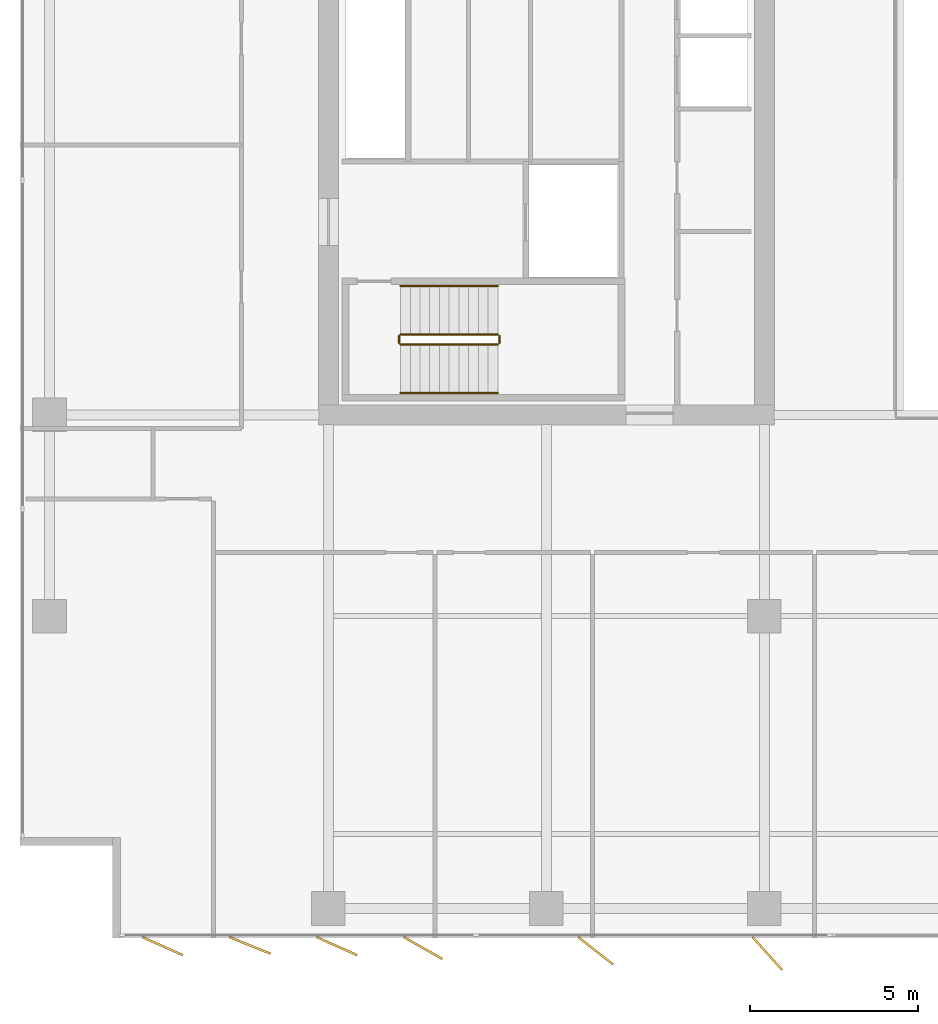
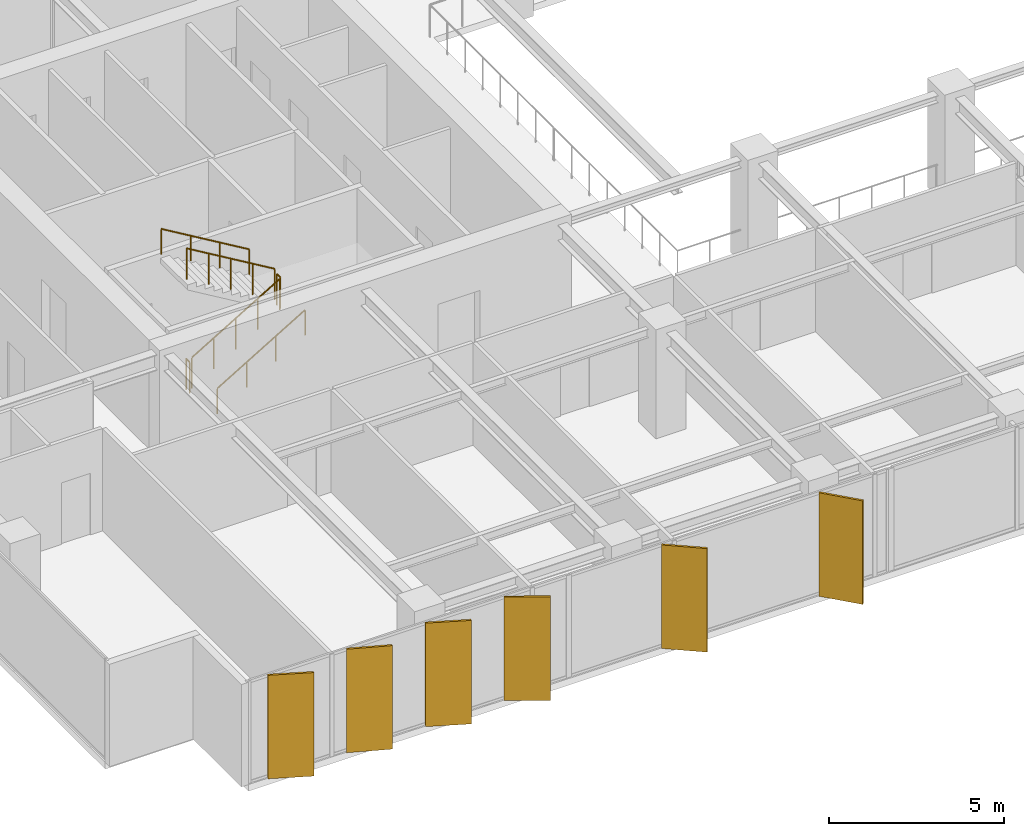
# One storey, part 19 of 22: 6 railings, 6 shading devices.
"""IFC4 building model written with IfcOpenShell, lengths in metres."""

from ifc_helpers import new_model, si_unit, direction, frame, origin, origin_2d, place, context, subcontext, project, spatial, rectangle, circle, extrude, material, layer, layer_set, type_object, element, save


model = new_model("IFC4")

# Units and contexts
model_context = context("Model", 3, precision=1e-05, world=origin(), true_north=direction((0.0, 1.0)))
body_context = subcontext(model_context, "Body", "Model", "MODEL_VIEW")
ifc_project = project(units=[si_unit("LENGTHUNIT", "METRE"), si_unit("AREAUNIT", "SQUARE_METRE"), si_unit("VOLUMEUNIT", "CUBIC_METRE"), si_unit("PLANEANGLEUNIT", "RADIAN"), si_unit("MASSUNIT", "GRAM", prefix="KILO")], contexts=[model_context])

# Site, building, storey
site_placement = place(None, origin())
site = spatial("IfcSite", under=ifc_project, at=site_placement, CompositionType="ELEMENT")
building_placement = place(site_placement, origin())
building = spatial("IfcBuilding", under=site, at=building_placement, Name="Putna Gate Headquarters", CompositionType="ELEMENT")
storey_placement = place(building_placement, frame((0.0, 0.0, 182.199951171875)))
storey = spatial("IfcBuildingStorey", under=building, at=storey_placement, Name="L45", CompositionType="ELEMENT", Elevation=182.199951171875)

# Railings
ifc_material_1 = material(Name="Powder-coated steel stair guardrail", Category="steel")
railing_type_1 = type_object("IfcRailingType", Name="RAIL-STAIR-GUARD-1100", PredefinedType="GUARDRAIL", material=ifc_material_1)
railing_1_placement = place(storey_placement, frame((15.14990234375, 21.10009765625, 0.1728515625)))
element("IfcRailing", 1, at=railing_1_placement, inside=storey, type_object=railing_type_1, Name="L45 ST1 stair guard 1", PredefinedType="GUARDRAIL", context=body_context, shape_type="SweptSolid", body=[
    extrude(circle(Radius=0.02392578125, at=origin_2d()), frame((0.0, 0.0, 1.076171875), z_axis=(0.859160404282, 0.0, 0.51170636083), x_axis=(0.0, 1.0, 0.0)), (0.0, 0.0, 1.0), 3.37548828125),
    extrude(circle(Radius=0.02099609375, at=origin_2d()), origin(), (0.0, 0.0, 1.0), 1.052001953125),
    extrude(circle(Radius=0.02099609375, at=origin_2d()), frame((0.72509765625, 0.0, 0.431884765625)), (0.0, 0.0, 1.0), 1.052001953125),
    extrude(circle(Radius=0.02099609375, at=origin_2d()), frame((1.4501953125, 0.0, 0.86376953125)), (0.0, 0.0, 1.0), 1.052001953125),
    extrude(circle(Radius=0.02099609375, at=origin_2d()), frame((2.175048828125, 0.0, 1.29541015625)), (0.0, 0.0, 1.0), 1.052001953125),
    extrude(circle(Radius=0.02099609375, at=origin_2d()), frame((2.900146484375, 0.0, 1.727294921875)), (0.0, 0.0, 1.0), 1.052001953125),
])
railing_2_placement = place(storey_placement, frame((18.10009765625, 21.14990234375, 1.900146484375)))
element("IfcRailing", 2, at=railing_2_placement, inside=storey, type_object=railing_type_1, Name="L45 ST1 stair guard 2", PredefinedType="GUARDRAIL", context=body_context, shape_type="SweptSolid", body=[
    extrude(circle(Radius=0.02392578125, at=origin_2d()), frame((0.0, 0.0, 1.076171875), z_axis=(0.0, 1.0, 0.0), x_axis=(-1.0, 0.0, 0.0)), (0.0, 0.0, 1.0), 0.2001953125),
    extrude(circle(Radius=0.02099609375, at=origin_2d()), origin(), (0.0, 0.0, 1.0), 1.052001953125),
    extrude(circle(Radius=0.02099609375, at=origin_2d()), frame((0.0, 0.2001953125, 0.0)), (0.0, 0.0, 1.0), 1.052001953125),
])
railing_3_placement = place(storey_placement, frame((18.050048828125, 21.39990234375, 2.07275390625)))
element("IfcRailing", 3, at=railing_3_placement, inside=storey, type_object=railing_type_1, Name="L45 ST1 stair guard 3", PredefinedType="GUARDRAIL", context=body_context, shape_type="SweptSolid", body=[
    extrude(circle(Radius=0.02392578125, at=origin_2d()), frame((0.0, 0.0, 1.076171875), z_axis=(-0.859160404282, 0.0, 0.51170636083), x_axis=(0.0, -1.0, 0.0)), (0.0, 0.0, 1.0), 3.37548828125),
    extrude(circle(Radius=0.02099609375, at=origin_2d()), origin(), (0.0, 0.0, 1.0), 1.052001953125),
    extrude(circle(Radius=0.02099609375, at=origin_2d()), frame((-0.72509765625, 0.0, 0.431884765625)), (0.0, 0.0, 1.0), 1.052001953125),
    extrude(circle(Radius=0.02099609375, at=origin_2d()), frame((-1.4501953125, 0.0, 0.86376953125)), (0.0, 0.0, 1.0), 1.052001953125),
    extrude(circle(Radius=0.02099609375, at=origin_2d()), frame((-2.175048828125, 0.0, 1.29541015625)), (0.0, 0.0, 1.0), 1.052001953125),
    extrude(circle(Radius=0.02099609375, at=origin_2d()), frame((-2.900146484375, 0.0, 1.727294921875)), (0.0, 0.0, 1.0), 1.052001953125),
])
railing_4_placement = place(storey_placement, frame((15.10009765625, 21.14990234375, 0.0)))
element("IfcRailing", 4, at=railing_4_placement, inside=storey, type_object=railing_type_1, Name="L45 ST1 stair guard 4", PredefinedType="GUARDRAIL", context=body_context, shape_type="SweptSolid", body=[
    extrude(circle(Radius=0.02392578125, at=origin_2d()), frame((0.0, 0.0, 1.076171875), z_axis=(0.0, 1.0, 0.0), x_axis=(-1.0, 0.0, 0.0)), (0.0, 0.0, 1.0), 0.2001953125),
    extrude(circle(Radius=0.02099609375, at=origin_2d()), origin(), (0.0, 0.0, 1.0), 1.052001953125),
    extrude(circle(Radius=0.02099609375, at=origin_2d()), frame((0.0, 0.2001953125, 0.0)), (0.0, 0.0, 1.0), 1.052001953125),
])
ifc_material_2 = material(Name="Brushed stainless steel handrail", Category="steel")
railing_type_2 = type_object("IfcRailingType", Name="RAIL-STAIR-HAND-900", PredefinedType="HANDRAIL", material=ifc_material_2)
railing_5_placement = place(storey_placement, frame((15.14990234375, 19.64990234375, 0.1728515625)))
element("IfcRailing", 5, at=railing_5_placement, inside=storey, type_object=railing_type_2, Name="L45 ST1 stair handrail 1", PredefinedType="HANDRAIL", context=body_context, shape_type="SweptSolid", body=[
    extrude(circle(Radius=0.02392578125, at=origin_2d()), frame((0.0, 0.0, 0.8759765625), z_axis=(0.859160404282, 0.0, 0.51170636083), x_axis=(0.0, 1.0, 0.0)), (0.0, 0.0, 1.0), 3.37548828125),
    extrude(circle(Radius=0.02099609375, at=origin_2d()), origin(), (0.0, 0.0, 1.0), 0.851806640625),
    extrude(circle(Radius=0.02099609375, at=origin_2d()), frame((0.966796875, 0.0, 0.57568359375)), (0.0, 0.0, 1.0), 0.851806640625),
    extrude(circle(Radius=0.02099609375, at=origin_2d()), frame((1.933349609375, 0.0, 1.151611328125)), (0.0, 0.0, 1.0), 0.851806640625),
    extrude(circle(Radius=0.02099609375, at=origin_2d()), frame((2.900146484375, 0.0, 1.727294921875)), (0.0, 0.0, 1.0), 0.851806640625),
])
railing_6_placement = place(storey_placement, frame((18.050048828125, 22.85009765625, 2.07275390625)))
element("IfcRailing", 6, at=railing_6_placement, inside=storey, type_object=railing_type_2, Name="L45 ST1 stair handrail 2", PredefinedType="HANDRAIL", context=body_context, shape_type="SweptSolid", body=[
    extrude(circle(Radius=0.02392578125, at=origin_2d()), frame((0.0, 0.0, 0.8759765625), z_axis=(-0.859160404282, 0.0, 0.51170636083), x_axis=(0.0, -1.0, 0.0)), (0.0, 0.0, 1.0), 3.37548828125),
    extrude(circle(Radius=0.02099609375, at=origin_2d()), origin(), (0.0, 0.0, 1.0), 0.851806640625),
    extrude(circle(Radius=0.02099609375, at=origin_2d()), frame((-0.966796875, 0.0, 0.57568359375)), (0.0, 0.0, 1.0), 0.851806640625),
    extrude(circle(Radius=0.02099609375, at=origin_2d()), frame((-1.933349609375, 0.0, 1.151611328125)), (0.0, 0.0, 1.0), 0.851806640625),
    extrude(circle(Radius=0.02099609375, at=origin_2d()), frame((-2.900146484375, 0.0, 1.727294921875)), (0.0, 0.0, 1.0), 0.851806640625),
])

# Shading devices
ifc_material_3 = material(Name="Anodised architectural bronze aluminium fin", Category="aluminium")
ifc_layer = layer(ifc_material_3, 0.06494140625)
ifc_layer_set = layer_set([ifc_layer], Name="Anodised architectural bronze aluminium fin")
shading_device_type = type_object("IfcShadingDeviceType", Name="SHADE-BRONZE-FIN-1320", PredefinedType="USERDEFINED", material=ifc_layer_set)
for number, where, z_axis, x_axis, name in (
    (7, (8.052978515625, 3.15673828125, -0.02001953125), (0.0, 0.0, 1.0), (0.913687379856, -0.40641773078, 0.0), "L45 Bronze Vertical Shading Fin S1"),
    (8, (10.661865234375, 3.177734375, -0.02001953125), (0.0, 0.0, 1.0), (0.927183854567, -0.374606593416, 0.0), "L45 Bronze Vertical Shading Fin S2"),
    (9, (13.2529296875, 3.15673828125, -0.02001953125), (0.0, 0.0, 1.0), (0.913687379856, -0.40641773078, 0.0), "L45 Bronze Vertical Shading Fin S3"),
    (10, (15.82373046875, 3.098876953125, -0.02001953125), (0.0, 0.0, 1.0), (0.869322458298, -0.494245347472, 0.0), "L45 Bronze Vertical Shading Fin S4"),
    (11, (20.9697265625, 3.018310546875, -0.02001953125), (0.0, 0.0, 1.0), (0.787473187632, -0.616348909921, 0.0), "L45 Bronze Vertical Shading Fin S5"),
    (12, (26.091552734375, 2.9345703125, -0.02001953125), (0.0, 0.0, 1.0), (0.669130606359, -0.743144825477, 0.0), "L45 Bronze Vertical Shading Fin S6"),
):
    element("IfcShadingDevice", number, at=place(storey_placement, frame(where, z_axis=z_axis, x_axis=x_axis)), inside=storey, type_object=shading_device_type, Name=name, ObjectType="FIN", PredefinedType="USERDEFINED", context=body_context, shape_type="SweptSolid", body=[
        extrude(rectangle(XDim=1.320068359375, YDim=0.06494140625, at=origin_2d()), origin(), (0.0, 0.0, 1.0), 3.612060546875),
    ])

save(model, "model.ifc")
